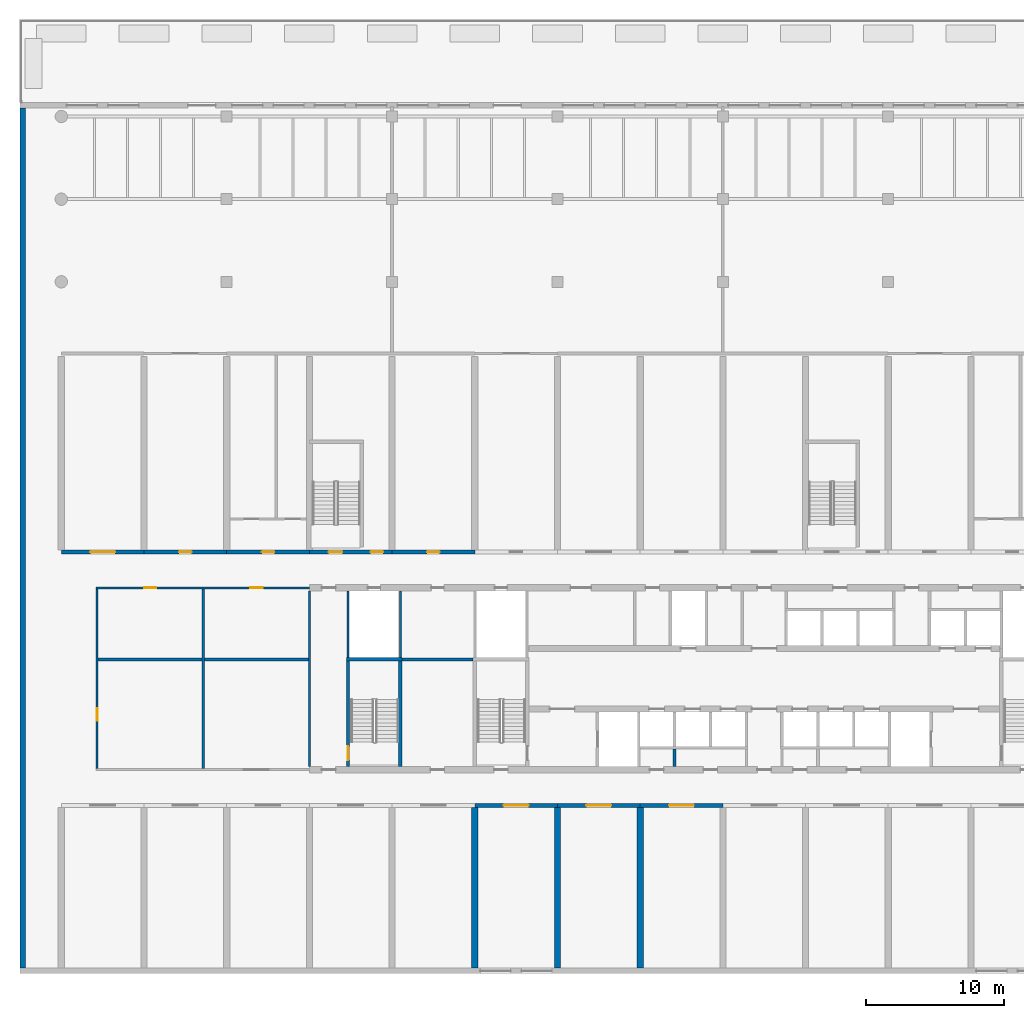
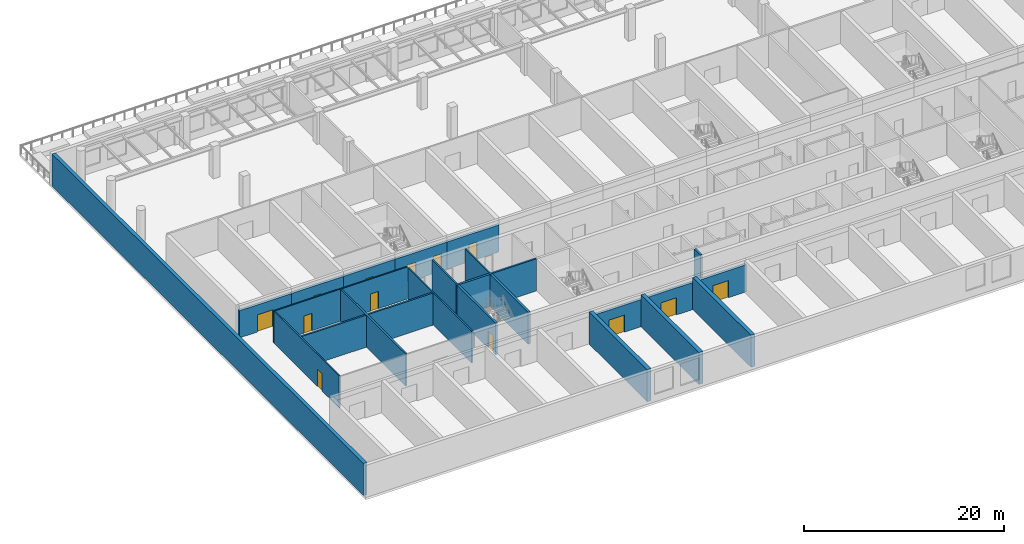
# One storey, part 3 of 15: 24 walls, 13 doors, 13 openings.
"""IFC4 building model written with IfcOpenShell, lengths in metres."""

import ifcopenshell
import ifcopenshell.guid

model = None  # the IFC model being written
_history = None  # IfcOwnerHistory: only IFC2X3 demands one
_inside = {}  # id of a spatial element -> (the spatial element, [elements in it])
_under = {}  # id of a project, library or spatial element -> (it, [spatial elements below it])
_declared = {}  # id of a project -> (the project, [libraries it declares])
_typed = {}  # id of a type object -> (the type object, [elements of that type])
_made_of = {}  # id of a material, layer set ... -> (it, [elements and type objects made of it])


def new_model(schema):
    """Start an empty IFC model of exactly this schema.

    Asked for "IFC4X3", IfcOpenShell would pick the latest addendum, in which some entities
    have other attributes; the version numbers below select the first issue.
    IFC2X3 requires an IfcOwnerHistory on every rooted entity: one is made here for all.
    """
    global model, _history
    if schema == "IFC4X3":
        model = ifcopenshell.file(schema_version=(4, 3, 0, 0))
    else:
        model = ifcopenshell.file(schema=schema)
    _inside.clear()
    _under.clear()
    _declared.clear()
    _typed.clear()
    _made_of.clear()
    _history = None
    if model.schema == "IFC2X3":
        org = make("IfcOrganization", Name="unknown")
        user = make(
            "IfcPersonAndOrganization",
            ThePerson=make("IfcPerson", FamilyName="unknown"),
            TheOrganization=org,
        )
        app = make(
            "IfcApplication",
            ApplicationDeveloper=org,
            Version="unknown",
            ApplicationFullName="unknown",
            ApplicationIdentifier="unknown",
        )
        _history = make(
            "IfcOwnerHistory",
            OwningUser=user,
            OwningApplication=app,
            ChangeAction="ADDED",
            CreationDate=0,
        )
    return model


def make(cls, **values):
    """One entity of the class cls with the attributes given. An attribute that is None is left unset."""
    return model.create_entity(
        cls, **{name: value for name, value in values.items() if value is not None}
    )


def rooted(cls, **values):
    """An entity with a GlobalId (a new one), such as an element, a storey or a relation."""
    return make(cls, GlobalId=ifcopenshell.guid.new(), OwnerHistory=_history, **values)


def si_unit(unit_type, name, prefix=None):
    """IfcSIUnit, for example si_unit("LENGTHUNIT", "METRE", prefix="MILLI")."""
    return make("IfcSIUnit", UnitType=unit_type, Prefix=prefix, Name=name)


def assignment(units):
    """IfcUnitAssignment: the units of a project."""
    return None if units is None else make("IfcUnitAssignment", Units=units)


def point(xyz):
    """IfcCartesianPoint."""
    return None if xyz is None else make("IfcCartesianPoint", Coordinates=xyz)


def direction(xyz):
    """IfcDirection."""
    return None if xyz is None else make("IfcDirection", DirectionRatios=xyz)


def frame(location, z_axis=None, x_axis=None):
    """IfcAxis2Placement3D, a coordinate frame: its origin and axes. An axis left out is left unset."""
    return make(
        "IfcAxis2Placement3D",
        Location=point(location),
        Axis=direction(z_axis),
        RefDirection=direction(x_axis),
    )


def frame_2d(location, x_axis=None):
    """IfcAxis2Placement2D, a coordinate frame in the plane: its origin and x axis."""
    return make(
        "IfcAxis2Placement2D", Location=point(location), RefDirection=direction(x_axis)
    )


def origin():
    """The frame at (0, 0, 0) with its axes left unset."""
    return frame((0.0, 0.0, 0.0))


def place(relative_to, where):
    """IfcLocalPlacement: puts the frame where relative to a parent placement (None: the world)."""
    return make(
        "IfcLocalPlacement", PlacementRelTo=relative_to, RelativePlacement=where
    )


def context(
    kind, dimensions, precision=None, world=None, true_north=None, identifier=None
):
    """IfcGeometricRepresentationContext, for example the 3D "Model" context."""
    return make(
        "IfcGeometricRepresentationContext",
        ContextIdentifier=identifier,
        ContextType=kind,
        CoordinateSpaceDimension=dimensions,
        Precision=precision,
        WorldCoordinateSystem=world,
        TrueNorth=true_north,
    )


def subcontext(parent, identifier, kind, view, scale=None):
    """IfcGeometricRepresentationSubContext, for example "Body" below "Model"."""
    return make(
        "IfcGeometricRepresentationSubContext",
        ContextIdentifier=identifier,
        ContextType=kind,
        ParentContext=parent,
        TargetScale=scale,
        TargetView=view,
    )


def project(units=None, contexts=None):
    """IfcProject with its units and contexts."""
    return rooted(
        "IfcProject",
        Name="project",
        RepresentationContexts=contexts,
        UnitsInContext=assignment(units),
    )


def spatial(cls, under=None, at=None, **own):
    """A site, building, storey or space (cls), placed at a placement, below another one or the project."""
    s = rooted(cls, ObjectPlacement=at, **own)
    if under is not None:
        _under.setdefault(under.id(), (under, []))[1].append(s)
    return s


def profile(cls, at=None, kind="AREA", **sizes):
    """A parametric profile (cls). Its sizes go by their IFC names, for example OverallWidth=200.0."""
    return make(cls, ProfileType=kind, Position=at, **sizes)


def rectangle(**sizes):
    """IfcRectangleProfileDef."""
    return profile("IfcRectangleProfileDef", **sizes)


def extrude(swept, where, along, depth):
    """IfcExtrudedAreaSolid: the profile swept, set in the frame where, extruded along a direction by depth."""
    return make(
        "IfcExtrudedAreaSolid",
        SweptArea=swept,
        Position=where,
        ExtrudedDirection=direction(along),
        Depth=depth,
    )


def shape(context_of_items, identifier, shape_type, items):
    """IfcShapeRepresentation: the items that make up one representation, for example the "Body"."""
    return make(
        "IfcShapeRepresentation",
        ContextOfItems=context_of_items,
        RepresentationIdentifier=identifier,
        RepresentationType=shape_type,
        Items=items,
    )


def material(Name=None, Category=None):
    """IfcMaterial."""
    return make("IfcMaterial", Name=Name, Category=Category)


def layer(
    of_material, thickness, ventilated=None, Name=None, Category=None, Priority=None
):
    """IfcMaterialLayer: one layer of a wall or slab, of a material (None: an air gap)."""
    return make(
        "IfcMaterialLayer",
        Material=of_material,
        LayerThickness=thickness,
        IsVentilated=ventilated,
        Name=Name,
        Category=Category,
        Priority=Priority,
    )


def layer_set(layers, Name=None):
    """IfcMaterialLayerSet."""
    return make("IfcMaterialLayerSet", MaterialLayers=layers, LayerSetName=Name)


def made_of(thing, what):
    """Note that an element or type object is made of a material, layer set ...; save() writes the relation."""
    if what is not None:
        _made_of.setdefault(what.id(), (what, []))[1].append(thing)
    return thing


def type_object(cls, material=None, **own):
    """A type object (cls), such as IfcWallType, which elements share."""
    return made_of(rooted(cls, **own), material)


def element(
    cls,
    number,
    at=None,
    inside=None,
    cuts=None,
    type_object=None,
    material=None,
    context=None,
    identifier="Body",
    shape_type=None,
    held_by="IfcProductDefinitionShape",
    body=None,
    shapes=None,
    **own,
):
    """One element of the class cls, such as IfcWall. Its Tag is "e" and its number.

    at: its placement. inside: the storey or other place that contains it. cuts: it is an
    opening in that element (IfcRelVoidsElement). A single representation is given by context,
    identifier, shape_type and body (its items); several are given by shapes. held_by: the class
    of the entity that holds the representations. save() writes the other relations.
    """
    e = rooted(cls, Tag="e%d" % number, ObjectPlacement=at, **own)
    if body is not None:
        shapes = [shape(context, identifier, shape_type, body)]
    if shapes is not None:
        e.Representation = make(held_by, Representations=shapes)
    if inside is not None:
        _inside.setdefault(inside.id(), (inside, []))[1].append(e)
    if cuts is not None:
        rooted(
            "IfcRelVoidsElement", RelatingBuildingElement=cuts, RelatedOpeningElement=e
        )
    if type_object is not None:
        _typed.setdefault(type_object.id(), (type_object, []))[1].append(e)
    return made_of(e, material)


def fill(opening, filler):
    """IfcRelFillsElement: the door or window that sits in an opening."""
    return rooted(
        "IfcRelFillsElement",
        RelatingOpeningElement=opening,
        RelatedBuildingElement=filler,
    )


def aggregate(whole, parts):
    """IfcRelAggregates: a whole, such as a stair, and the parts it consists of."""
    return rooted("IfcRelAggregates", RelatingObject=whole, RelatedObjects=parts)


def save(model, path):
    """Write the relations noted so far, then the file.

    IfcRelAggregates (storeys below a building ...), IfcRelContainedInSpatialStructure (elements
    in a storey), IfcRelDefinesByType, IfcRelAssociatesMaterial and IfcRelDeclares: one each for
    every whole, place, type object, material and project.
    """
    for whole, parts in _under.values():
        aggregate(whole, parts)
    for where, things in _inside.values():
        rooted(
            "IfcRelContainedInSpatialStructure",
            RelatedElements=things,
            RelatingStructure=where,
        )
    for kind, things in _typed.values():
        rooted("IfcRelDefinesByType", RelatedObjects=things, RelatingType=kind)
    for what, things in _made_of.values():
        rooted("IfcRelAssociatesMaterial", RelatedObjects=things, RelatingMaterial=what)
    for by, libraries in _declared.values():
        rooted("IfcRelDeclares", RelatingContext=by, RelatedDefinitions=libraries)
    model.write(path)


model = new_model("IFC4")

# Units and contexts
model_context = context("Model", 3, precision=1e-05, world=origin(), true_north=direction((0.0, 1.0)))
body_context = subcontext(model_context, "Body", "Model", "MODEL_VIEW")
ifc_project = project(units=[si_unit("LENGTHUNIT", "METRE"), si_unit("AREAUNIT", "SQUARE_METRE"), si_unit("VOLUMEUNIT", "CUBIC_METRE"), si_unit("PLANEANGLEUNIT", "RADIAN"), si_unit("MASSUNIT", "GRAM", prefix="KILO")], contexts=[model_context])

# Site, building, storey
site_placement = place(None, origin())
site = spatial("IfcSite", under=ifc_project, at=site_placement, CompositionType="ELEMENT")
building_placement = place(site_placement, origin())
building = spatial("IfcBuilding", under=site, at=building_placement, Name="Poui Terraces", CompositionType="ELEMENT")
storey_placement = place(building_placement, frame((0.0, 0.0, 10.800048828125)))
storey = spatial("IfcBuildingStorey", under=building, at=storey_placement, Name="L02", CompositionType="ELEMENT", Elevation=10.800048828125)

# Walls
ifc_material_1 = material(Name="Fire-rated masonry wall", Category="masonry")
ifc_layer_1 = layer(ifc_material_1, 0.199951171875)
ifc_layer_set_1 = layer_set([ifc_layer_1], Name="Fire-rated masonry wall")
wall_type_1 = type_object("IfcWallType", Name="COMPARTMENT WALL 200", PredefinedType="PARTITIONING", material=ifc_layer_set_1)
wall_1_placement = place(storey_placement, frame((2.675048828125, 22.60009765625, 0.0), z_axis=(0.0, 0.0, 1.0), x_axis=(1.0, 0.0, 0.0)))
element("IfcWall", 1, at=wall_1_placement, inside=storey, type_object=wall_type_1, Name="COMPARTMENT WALL 200", PredefinedType="PARTITIONING", context=body_context, shape_type="SweptSolid", body=[
    extrude(rectangle(XDim=15.25, YDim=0.199951171875, at=frame_2d((7.625, 0.0))), origin(), (0.0, 0.0, 1.0), 3.919921875),
])
wall_2_placement = place(storey_placement, frame((24.735107421875, 22.60009765625, 0.0), z_axis=(0.0, 0.0, 1.0), x_axis=(1.0, 0.0, 0.0)))
element("IfcWall", 2, at=wall_2_placement, inside=storey, type_object=wall_type_1, Name="COMPARTMENT WALL 200", PredefinedType="PARTITIONING", context=body_context, shape_type="SweptSolid", body=[
    extrude(rectangle(XDim=5.1298828125, YDim=0.199951171875, at=frame_2d((2.56494140625, 0.0))), origin(), (0.0, 0.0, 1.0), 3.919921875),
])
wall_3_placement = place(storey_placement, frame((10.300048828125, 14.675048828125, 0.0), z_axis=(0.0, 0.0, 1.0), x_axis=(0.0, 1.0, 0.0)))
element("IfcWall", 3, at=wall_3_placement, inside=storey, type_object=wall_type_1, Name="COMPARTMENT WALL 200", PredefinedType="PARTITIONING", context=body_context, shape_type="SweptSolid", body=[
    extrude(rectangle(XDim=13.050048828125, YDim=0.199951171875, at=frame_2d((6.52490234375, 0.0))), origin(), (0.0, 0.0, 1.0), 3.919921875),
])
wall_4_placement = place(storey_placement, frame((44.5, 14.8349609375, 0.0), z_axis=(0.0, 0.0, 1.0), x_axis=(0.0, 1.0, 0.0)))
element("IfcWall", 4, at=wall_4_placement, inside=storey, type_object=wall_type_1, Name="COMPARTMENT WALL 200", PredefinedType="PARTITIONING", context=body_context, shape_type="SweptSolid", body=[
    extrude(rectangle(XDim=1.26513671875, YDim=0.199951171875, at=frame_2d((0.632568359375, 0.0))), origin(), (0.0, 0.0, 1.0), 3.919921875),
])

# Wall, openings, doors
ifc_material_2 = material(Name="Fire-rated plasterboard wall")
ifc_layer_2 = layer(ifc_material_2, 0.14990234375)
ifc_layer_set_2 = layer_set([ifc_layer_2], Name="Fire-rated plasterboard wall")
wall_type_2 = type_object("IfcWallType", Name="CORRIDOR WALL 150", PredefinedType="PARTITIONING", material=ifc_layer_set_2)
wall_5_placement = place(storey_placement, frame((2.52490234375, 27.800048828125, 0.0), z_axis=(0.0, 0.0, 1.0), x_axis=(1.0, 0.0, 0.0)))
wall_5 = element("IfcWall", 5, at=wall_5_placement, inside=storey, type_object=wall_type_2, Name="CORRIDOR WALL 150", PredefinedType="PARTITIONING", context=body_context, shape_type="SweptSolid", body=[
    extrude(rectangle(XDim=15.465087890625, YDim=0.14990234375, at=frame_2d((7.732421875, 0.0))), origin(), (0.0, 0.0, 1.0), 3.919921875),
])
opening_1_placement = place(wall_5_placement, frame((3.47509765625, 0.0, 0.0)))
opening_1 = element("IfcOpeningElement", 6, at=opening_1_placement, cuts=wall_5, Name="Opening D90", PredefinedType="OPENING", context=body_context, shape_type="SweptSolid", body=[
    extrude(rectangle(XDim=0.89990234375, YDim=2.10009765625, at=frame_2d((0.449951171875, 1.050048828125))), frame((0.0, 0.0849609375, 0.0), z_axis=(0.0, -1.0, 0.0), x_axis=(1.0, 0.0, 0.0)), (0.0, 0.0, 1.0), 0.169921875),
])
opening_2_placement = place(wall_5_placement, frame((11.175048828125, 0.0, 0.0)))
opening_2 = element("IfcOpeningElement", 7, at=opening_2_placement, cuts=wall_5, Name="Opening D90", PredefinedType="OPENING", context=body_context, shape_type="SweptSolid", body=[
    extrude(rectangle(XDim=0.89990234375, YDim=2.10009765625, at=frame_2d((0.449951171875, 1.050048828125))), frame((0.0, 0.0849609375, 0.0), z_axis=(0.0, -1.0, 0.0), x_axis=(1.0, 0.0, 0.0)), (0.0, 0.0, 1.0), 0.169921875),
])
ifc_material_3 = material(Name="Solid core timber door", Category="wood")
door_type_1 = type_object("IfcDoorType", Name="INTERNAL DOOR 900 X 2100", OperationType="NOTDEFINED", PredefinedType="DOOR", material=ifc_material_3)
door_1_placement = place(opening_1_placement, origin())
door_1 = element("IfcDoor", 8, at=door_1_placement, inside=storey, type_object=door_type_1, Name="INTERNAL DOOR 003", OperationType="SINGLE_SWING_LEFT", OverallHeight=2.10009765625, OverallWidth=0.89990234375, PredefinedType="DOOR", context=body_context, shape_type="SweptSolid", body=[
    extrude(rectangle(XDim=0.89990234375, YDim=2.10009765625, at=frame_2d((0.449951171875, 1.050048828125))), frame((0.0, 0.02490234375, 0.0), z_axis=(0.0, -1.0, 0.0), x_axis=(1.0, 0.0, 0.0)), (0.0, 0.0, 1.0), 0.050048828125),
])
fill(opening_1, door_1)
door_2_placement = place(opening_2_placement, origin())
door_2 = element("IfcDoor", 9, at=door_2_placement, inside=storey, type_object=door_type_1, Name="INTERNAL DOOR 005", OperationType="SINGLE_SWING_RIGHT", OverallHeight=2.10009765625, OverallWidth=0.89990234375, PredefinedType="DOOR", context=body_context, shape_type="SweptSolid", body=[
    extrude(rectangle(XDim=0.89990234375, YDim=2.10009765625, at=frame_2d((0.449951171875, 1.050048828125))), frame((0.0, 0.02490234375, 0.0), z_axis=(0.0, -1.0, 0.0), x_axis=(1.0, 0.0, 0.0)), (0.0, 0.0, 1.0), 0.050048828125),
])
fill(opening_2, door_2)

# Wall, opening, door
wall_6_placement = place(storey_placement, frame((2.60009765625, 14.675048828125, 0.0), z_axis=(0.0, 0.0, 1.0), x_axis=(0.0, 1.0, 0.0)))
wall_6 = element("IfcWall", 10, at=wall_6_placement, inside=storey, type_object=wall_type_2, Name="CORRIDOR WALL 150", PredefinedType="PARTITIONING", context=body_context, shape_type="SweptSolid", body=[
    extrude(rectangle(XDim=13.050048828125, YDim=0.14990234375, at=frame_2d((6.52490234375, 0.0))), origin(), (0.0, 0.0, 1.0), 3.919921875),
])
opening_3_placement = place(wall_6_placement, frame((3.47509765625, 0.0, 0.0)))
opening_3 = element("IfcOpeningElement", 11, at=opening_3_placement, cuts=wall_6, Name="Opening D90", PredefinedType="OPENING", context=body_context, shape_type="SweptSolid", body=[
    extrude(rectangle(XDim=0.89990234375, YDim=2.10009765625, at=frame_2d((0.449951171875, 1.050048828125))), frame((0.0, 0.0849609375, 0.0), z_axis=(0.0, -1.0, 0.0), x_axis=(1.0, 0.0, 0.0)), (0.0, 0.0, 1.0), 0.169921875),
])
door_3_placement = place(opening_3_placement, origin())
door_3 = element("IfcDoor", 12, at=door_3_placement, inside=storey, type_object=door_type_1, Name="INTERNAL DOOR 071", OperationType="SINGLE_SWING_LEFT", OverallHeight=2.10009765625, OverallWidth=0.89990234375, PredefinedType="DOOR", context=body_context, shape_type="SweptSolid", body=[
    extrude(rectangle(XDim=0.89990234375, YDim=2.10009765625, at=frame_2d((0.449951171875, 1.050048828125))), frame((0.0, 0.02490234375, 0.0), z_axis=(0.0, -1.0, 0.0), x_axis=(1.0, 0.0, 0.0)), (0.0, 0.0, 1.0), 0.050048828125),
])
fill(opening_3, door_3)

# Wall
wall_7_placement = place(storey_placement, frame((18.0, 14.8349609375, 0.0), z_axis=(0.0, 0.0, 1.0), x_axis=(0.0, 1.0, 0.0)))
element("IfcWall", 13, at=wall_7_placement, inside=storey, type_object=wall_type_2, Name="CORRIDOR WALL 150", PredefinedType="PARTITIONING", context=body_context, shape_type="SweptSolid", body=[
    extrude(rectangle(XDim=12.72998046875, YDim=0.14990234375, at=frame_2d((6.364990234375, 0.0))), origin(), (0.0, 0.0, 1.0), 3.919921875),
])

# Wall, opening, door
ifc_material_4 = material(Name="Concrete 80 MPa", Category="concrete")
ifc_layer_3 = layer(ifc_material_4, 0.300048828125)
ifc_layer_set_3 = layer_set([ifc_layer_3], Name="Concrete 80 MPa")
wall_type_3 = type_object("IfcWallType", Name="CORRIDOR WALL 300 80MPa", PredefinedType="SHEAR", material=ifc_layer_set_3)
wall_8_placement = place(storey_placement, frame((30.0, 12.0, 0.0), z_axis=(0.0, 0.0, 1.0), x_axis=(1.0, 0.0, 0.0)))
wall_8 = element("IfcWall", 14, at=wall_8_placement, inside=storey, type_object=wall_type_3, Name="CORRIDOR WALL LINE B BAY 6", PredefinedType="SHEAR", context=body_context, shape_type="SweptSolid", body=[
    extrude(rectangle(XDim=6.0, YDim=0.300048828125, at=frame_2d((3.0, 0.0))), origin(), (0.0, 0.0, 1.0), 3.320068359375),
])
opening_4_placement = place(wall_8_placement, frame((2.10009765625, 0.0, 0.0)))
opening_4 = element("IfcOpeningElement", 15, at=opening_4_placement, cuts=wall_8, Name="Opening DD180", PredefinedType="OPENING", context=body_context, shape_type="SweptSolid", body=[
    extrude(rectangle(XDim=1.800048828125, YDim=2.10009765625, at=frame_2d((0.89990234375, 1.050048828125))), frame((0.0, 0.16015625, 0.0), z_axis=(0.0, -1.0, 0.0), x_axis=(1.0, 0.0, 0.0)), (0.0, 0.0, 1.0), 0.320068359375),
])
ifc_material_5 = material(Name="Steel fire door", Category="steel")
door_type_2 = type_object("IfcDoorType", Name="DOUBLE INTERNAL DOOR 1800 X 2100", OperationType="DOUBLE_DOOR_SINGLE_SWING", PredefinedType="DOOR", material=ifc_material_5)
door_4_placement = place(opening_4_placement, origin())
door_4 = element("IfcDoor", 16, at=door_4_placement, inside=storey, type_object=door_type_2, Name="DOUBLE INTERNAL DOOR 050", OperationType="DOUBLE_DOOR_SINGLE_SWING", OverallHeight=2.10009765625, OverallWidth=1.800048828125, PredefinedType="DOOR", context=body_context, shape_type="SweptSolid", body=[
    extrude(rectangle(XDim=1.800048828125, YDim=2.10009765625, at=frame_2d((0.89990234375, 1.050048828125))), frame((0.0, 0.02490234375, 0.0), z_axis=(0.0, -1.0, 0.0), x_axis=(1.0, 0.0, 0.0)), (0.0, 0.0, 1.0), 0.050048828125),
])
fill(opening_4, door_4)

wall_9_placement = place(storey_placement, frame((36.0, 12.0, 0.0), z_axis=(0.0, 0.0, 1.0), x_axis=(1.0, 0.0, 0.0)))
wall_9 = element("IfcWall", 17, at=wall_9_placement, inside=storey, type_object=wall_type_3, Name="CORRIDOR WALL LINE B BAY 7", PredefinedType="SHEAR", context=body_context, shape_type="SweptSolid", body=[
    extrude(rectangle(XDim=6.0, YDim=0.300048828125, at=frame_2d((3.0, 0.0))), origin(), (0.0, 0.0, 1.0), 3.320068359375),
])
opening_5_placement = place(wall_9_placement, frame((2.10009765625, 0.0, 0.0)))
opening_5 = element("IfcOpeningElement", 18, at=opening_5_placement, cuts=wall_9, Name="Opening DD180", PredefinedType="OPENING", context=body_context, shape_type="SweptSolid", body=[
    extrude(rectangle(XDim=1.800048828125, YDim=2.10009765625, at=frame_2d((0.89990234375, 1.050048828125))), frame((0.0, 0.16015625, 0.0), z_axis=(0.0, -1.0, 0.0), x_axis=(1.0, 0.0, 0.0)), (0.0, 0.0, 1.0), 0.320068359375),
])
door_5_placement = place(opening_5_placement, origin())
door_5 = element("IfcDoor", 19, at=door_5_placement, inside=storey, type_object=door_type_2, Name="DOUBLE INTERNAL DOOR 051", OperationType="DOUBLE_DOOR_SINGLE_SWING", OverallHeight=2.10009765625, OverallWidth=1.800048828125, PredefinedType="DOOR", context=body_context, shape_type="SweptSolid", body=[
    extrude(rectangle(XDim=1.800048828125, YDim=2.10009765625, at=frame_2d((0.89990234375, 1.050048828125))), frame((0.0, 0.02490234375, 0.0), z_axis=(0.0, -1.0, 0.0), x_axis=(1.0, 0.0, 0.0)), (0.0, 0.0, 1.0), 0.050048828125),
])
fill(opening_5, door_5)

wall_10_placement = place(storey_placement, frame((42.0, 12.0, 0.0), z_axis=(0.0, 0.0, 1.0), x_axis=(1.0, 0.0, 0.0)))
wall_10 = element("IfcWall", 20, at=wall_10_placement, inside=storey, type_object=wall_type_3, Name="CORRIDOR WALL LINE B BAY 8", PredefinedType="SHEAR", context=body_context, shape_type="SweptSolid", body=[
    extrude(rectangle(XDim=6.0, YDim=0.300048828125, at=frame_2d((3.0, 0.0))), origin(), (0.0, 0.0, 1.0), 3.320068359375),
])
opening_6_placement = place(wall_10_placement, frame((2.10009765625, 0.0, 0.0)))
opening_6 = element("IfcOpeningElement", 21, at=opening_6_placement, cuts=wall_10, Name="Opening DD180", PredefinedType="OPENING", context=body_context, shape_type="SweptSolid", body=[
    extrude(rectangle(XDim=1.800048828125, YDim=2.10009765625, at=frame_2d((0.89990234375, 1.050048828125))), frame((0.0, 0.16015625, 0.0), z_axis=(0.0, -1.0, 0.0), x_axis=(1.0, 0.0, 0.0)), (0.0, 0.0, 1.0), 0.320068359375),
])
door_6_placement = place(opening_6_placement, origin())
door_6 = element("IfcDoor", 22, at=door_6_placement, inside=storey, type_object=door_type_2, Name="DOUBLE INTERNAL DOOR 053", OperationType="DOUBLE_DOOR_SINGLE_SWING", OverallHeight=2.10009765625, OverallWidth=1.800048828125, PredefinedType="DOOR", context=body_context, shape_type="SweptSolid", body=[
    extrude(rectangle(XDim=1.800048828125, YDim=2.10009765625, at=frame_2d((0.89990234375, 1.050048828125))), frame((0.0, 0.02490234375, 0.0), z_axis=(0.0, -1.0, 0.0), x_axis=(1.0, 0.0, 0.0)), (0.0, 0.0, 1.0), 0.050048828125),
])
fill(opening_6, door_6)

wall_11_placement = place(storey_placement, frame((0.0, 30.39990234375, 0.0), z_axis=(0.0, 0.0, 1.0), x_axis=(1.0, 0.0, 0.0)))
wall_11 = element("IfcWall", 23, at=wall_11_placement, inside=storey, type_object=wall_type_3, Name="CORRIDOR WALL LINE E BAY 1", PredefinedType="SHEAR", context=body_context, shape_type="SweptSolid", body=[
    extrude(rectangle(XDim=6.0, YDim=0.300048828125, at=frame_2d((3.0, 0.0))), origin(), (0.0, 0.0, 1.0), 3.320068359375),
])
opening_7_placement = place(wall_11_placement, frame((2.10009765625, 0.0, 0.0)))
opening_7 = element("IfcOpeningElement", 24, at=opening_7_placement, cuts=wall_11, Name="Opening DD180", PredefinedType="OPENING", context=body_context, shape_type="SweptSolid", body=[
    extrude(rectangle(XDim=1.800048828125, YDim=2.10009765625, at=frame_2d((0.89990234375, 1.050048828125))), frame((0.0, 0.16015625, 0.0), z_axis=(0.0, -1.0, 0.0), x_axis=(1.0, 0.0, 0.0)), (0.0, 0.0, 1.0), 0.320068359375),
])
door_7_placement = place(opening_7_placement, frame((1.800048828125, 0.0, 0.0), z_axis=(0.0, 0.0, 1.0), x_axis=(-1.0, 0.0, 0.0)))
door_7 = element("IfcDoor", 25, at=door_7_placement, inside=storey, type_object=door_type_2, Name="DOUBLE INTERNAL DOOR 002", OperationType="DOUBLE_DOOR_SINGLE_SWING", OverallHeight=2.10009765625, OverallWidth=1.800048828125, PredefinedType="DOOR", context=body_context, shape_type="SweptSolid", body=[
    extrude(rectangle(XDim=1.800048828125, YDim=2.10009765625, at=frame_2d((0.89990234375, 1.050048828125))), frame((0.0, 0.02490234375, 0.0), z_axis=(0.0, -1.0, 0.0), x_axis=(1.0, 0.0, 0.0)), (0.0, 0.0, 1.0), 0.050048828125),
])
fill(opening_7, door_7)

wall_12_placement = place(storey_placement, frame((6.0, 30.39990234375, 0.0), z_axis=(0.0, 0.0, 1.0), x_axis=(1.0, 0.0, 0.0)))
wall_12 = element("IfcWall", 26, at=wall_12_placement, inside=storey, type_object=wall_type_3, Name="CORRIDOR WALL LINE E BAY 2", PredefinedType="SHEAR", context=body_context, shape_type="SweptSolid", body=[
    extrude(rectangle(XDim=6.0, YDim=0.300048828125, at=frame_2d((3.0, 0.0))), origin(), (0.0, 0.0, 1.0), 3.320068359375),
])
opening_8_placement = place(wall_12_placement, frame((2.550048828125, 0.0, 0.0)))
opening_8 = element("IfcOpeningElement", 27, at=opening_8_placement, cuts=wall_12, Name="Opening D90", PredefinedType="OPENING", context=body_context, shape_type="SweptSolid", body=[
    extrude(rectangle(XDim=0.89990234375, YDim=2.10009765625, at=frame_2d((0.449951171875, 1.050048828125))), frame((0.0, 0.16015625, 0.0), z_axis=(0.0, -1.0, 0.0), x_axis=(1.0, 0.0, 0.0)), (0.0, 0.0, 1.0), 0.320068359375),
])
door_8_placement = place(opening_8_placement, frame((0.89990234375, 0.0, 0.0), z_axis=(0.0, 0.0, 1.0), x_axis=(-1.0, 0.0, 0.0)))
door_8 = element("IfcDoor", 28, at=door_8_placement, inside=storey, type_object=door_type_1, Name="INTERNAL DOOR 004", OperationType="SINGLE_SWING_LEFT", OverallHeight=2.10009765625, OverallWidth=0.89990234375, PredefinedType="DOOR", context=body_context, shape_type="SweptSolid", body=[
    extrude(rectangle(XDim=0.89990234375, YDim=2.10009765625, at=frame_2d((0.449951171875, 1.050048828125))), frame((0.0, 0.02490234375, 0.0), z_axis=(0.0, -1.0, 0.0), x_axis=(1.0, 0.0, 0.0)), (0.0, 0.0, 1.0), 0.050048828125),
])
fill(opening_8, door_8)

wall_13_placement = place(storey_placement, frame((12.0, 30.39990234375, 0.0), z_axis=(0.0, 0.0, 1.0), x_axis=(1.0, 0.0, 0.0)))
wall_13 = element("IfcWall", 29, at=wall_13_placement, inside=storey, type_object=wall_type_3, Name="CORRIDOR WALL LINE E BAY 3", PredefinedType="SHEAR", context=body_context, shape_type="SweptSolid", body=[
    extrude(rectangle(XDim=6.0, YDim=0.300048828125, at=frame_2d((3.0, 0.0))), origin(), (0.0, 0.0, 1.0), 3.320068359375),
])
opening_9_placement = place(wall_13_placement, frame((2.550048828125, 0.0, 0.0)))
opening_9 = element("IfcOpeningElement", 30, at=opening_9_placement, cuts=wall_13, Name="Opening D90", PredefinedType="OPENING", context=body_context, shape_type="SweptSolid", body=[
    extrude(rectangle(XDim=0.89990234375, YDim=2.10009765625, at=frame_2d((0.449951171875, 1.050048828125))), frame((0.0, 0.16015625, 0.0), z_axis=(0.0, -1.0, 0.0), x_axis=(1.0, 0.0, 0.0)), (0.0, 0.0, 1.0), 0.320068359375),
])
door_9_placement = place(opening_9_placement, frame((0.89990234375, 0.0, 0.0), z_axis=(0.0, 0.0, 1.0), x_axis=(-1.0, 0.0, 0.0)))
door_9 = element("IfcDoor", 31, at=door_9_placement, inside=storey, type_object=door_type_1, Name="INTERNAL DOOR 006", OperationType="SINGLE_SWING_RIGHT", OverallHeight=2.10009765625, OverallWidth=0.89990234375, PredefinedType="DOOR", context=body_context, shape_type="SweptSolid", body=[
    extrude(rectangle(XDim=0.89990234375, YDim=2.10009765625, at=frame_2d((0.449951171875, 1.050048828125))), frame((0.0, 0.02490234375, 0.0), z_axis=(0.0, -1.0, 0.0), x_axis=(1.0, 0.0, 0.0)), (0.0, 0.0, 1.0), 0.050048828125),
])
fill(opening_9, door_9)

# Wall, openings, doors
wall_14_placement = place(storey_placement, frame((18.0, 30.39990234375, 0.0), z_axis=(0.0, 0.0, 1.0), x_axis=(1.0, 0.0, 0.0)))
wall_14 = element("IfcWall", 32, at=wall_14_placement, inside=storey, type_object=wall_type_3, Name="CORRIDOR WALL LINE E BAY 4", PredefinedType="SHEAR", context=body_context, shape_type="SweptSolid", body=[
    extrude(rectangle(XDim=6.0, YDim=0.300048828125, at=frame_2d((3.0, 0.0))), origin(), (0.0, 0.0, 1.0), 3.320068359375),
])
opening_10_placement = place(wall_14_placement, frame((1.39990234375, 0.0, 0.0)))
opening_10 = element("IfcOpeningElement", 33, at=opening_10_placement, cuts=wall_14, Name="Opening FD60S", PredefinedType="OPENING", context=body_context, shape_type="SweptSolid", body=[
    extrude(rectangle(XDim=1.0, YDim=2.10009765625, at=frame_2d((0.5, 1.050048828125))), frame((0.0, 0.16015625, 0.0), z_axis=(0.0, -1.0, 0.0), x_axis=(1.0, 0.0, 0.0)), (0.0, 0.0, 1.0), 0.320068359375),
])
opening_11_placement = place(wall_14_placement, frame((4.449951171875, 0.0, 0.0)))
opening_11 = element("IfcOpeningElement", 34, at=opening_11_placement, cuts=wall_14, Name="Opening D90", PredefinedType="OPENING", context=body_context, shape_type="SweptSolid", body=[
    extrude(rectangle(XDim=0.89990234375, YDim=2.10009765625, at=frame_2d((0.449951171875, 1.050048828125))), frame((0.0, 0.16015625, 0.0), z_axis=(0.0, -1.0, 0.0), x_axis=(1.0, 0.0, 0.0)), (0.0, 0.0, 1.0), 0.320068359375),
])
door_10_placement = place(opening_11_placement, frame((0.89990234375, 0.0, 0.0), z_axis=(0.0, 0.0, 1.0), x_axis=(-1.0, 0.0, 0.0)))
door_10 = element("IfcDoor", 35, at=door_10_placement, inside=storey, type_object=door_type_1, Name="INTERNAL DOOR 010", OperationType="SINGLE_SWING_RIGHT", OverallHeight=2.10009765625, OverallWidth=0.89990234375, PredefinedType="DOOR", context=body_context, shape_type="SweptSolid", body=[
    extrude(rectangle(XDim=0.89990234375, YDim=2.10009765625, at=frame_2d((0.449951171875, 1.050048828125))), frame((0.0, 0.02490234375, 0.0), z_axis=(0.0, -1.0, 0.0), x_axis=(1.0, 0.0, 0.0)), (0.0, 0.0, 1.0), 0.050048828125),
])
fill(opening_11, door_10)
door_type_3 = type_object("IfcDoorType", Name="STAIR DOOR 1000 X 2100", OperationType="NOTDEFINED", PredefinedType="DOOR", material=ifc_material_5)
door_11_placement = place(opening_10_placement, origin())
door_11 = element("IfcDoor", 36, at=door_11_placement, inside=storey, type_object=door_type_3, Name="STAIR DOOR 008", OperationType="SINGLE_SWING_RIGHT", OverallHeight=2.10009765625, OverallWidth=1.0, PredefinedType="DOOR", context=body_context, shape_type="SweptSolid", body=[
    extrude(rectangle(XDim=1.0, YDim=2.10009765625, at=frame_2d((0.5, 1.050048828125))), frame((0.0, 0.02490234375, 0.0), z_axis=(0.0, -1.0, 0.0), x_axis=(1.0, 0.0, 0.0)), (0.0, 0.0, 1.0), 0.050048828125),
])
fill(opening_10, door_11)

# Wall, opening, door
wall_15_placement = place(storey_placement, frame((24.0, 30.39990234375, 0.0), z_axis=(0.0, 0.0, 1.0), x_axis=(1.0, 0.0, 0.0)))
wall_15 = element("IfcWall", 37, at=wall_15_placement, inside=storey, type_object=wall_type_3, Name="CORRIDOR WALL LINE E BAY 5", PredefinedType="SHEAR", context=body_context, shape_type="SweptSolid", body=[
    extrude(rectangle(XDim=6.0, YDim=0.300048828125, at=frame_2d((3.0, 0.0))), origin(), (0.0, 0.0, 1.0), 3.320068359375),
])
opening_12_placement = place(wall_15_placement, frame((2.550048828125, 0.0, 0.0)))
opening_12 = element("IfcOpeningElement", 38, at=opening_12_placement, cuts=wall_15, Name="Opening D90", PredefinedType="OPENING", context=body_context, shape_type="SweptSolid", body=[
    extrude(rectangle(XDim=0.89990234375, YDim=2.10009765625, at=frame_2d((0.449951171875, 1.050048828125))), frame((0.0, 0.16015625, 0.0), z_axis=(0.0, -1.0, 0.0), x_axis=(1.0, 0.0, 0.0)), (0.0, 0.0, 1.0), 0.320068359375),
])
door_12_placement = place(opening_12_placement, frame((0.89990234375, 0.0, 0.0), z_axis=(0.0, 0.0, 1.0), x_axis=(-1.0, 0.0, 0.0)))
door_12 = element("IfcDoor", 39, at=door_12_placement, inside=storey, type_object=door_type_1, Name="INTERNAL DOOR 011", OperationType="SINGLE_SWING_LEFT", OverallHeight=2.10009765625, OverallWidth=0.89990234375, PredefinedType="DOOR", context=body_context, shape_type="SweptSolid", body=[
    extrude(rectangle(XDim=0.89990234375, YDim=2.10009765625, at=frame_2d((0.449951171875, 1.050048828125))), frame((0.0, 0.02490234375, 0.0), z_axis=(0.0, -1.0, 0.0), x_axis=(1.0, 0.0, 0.0)), (0.0, 0.0, 1.0), 0.050048828125),
])
fill(opening_12, door_12)

# Walls
ifc_layer_4 = layer(ifc_material_4, 0.449951171875)
ifc_layer_set_4 = layer_set([ifc_layer_4], Name="Concrete 80 MPa")
wall_type_4 = type_object("IfcWallType", Name="CROSS WALL 450 80MPa", PredefinedType="SHEAR", material=ifc_layer_set_4)
for number, where, z_axis, x_axis, name in (
    (40, (30.0, 0.199951171875, 0.0), (0.0, 0.0, 1.0), (0.0, 1.0, 0.0), "CROSS WALL LINE 6 SOUTH"),
    (41, (36.0, 0.199951171875, 0.0), (0.0, 0.0, 1.0), (0.0, 1.0, 0.0), "CROSS WALL LINE 7 SOUTH"),
    (42, (42.0, 0.199951171875, 0.0), (0.0, 0.0, 1.0), (0.0, 1.0, 0.0), "CROSS WALL LINE 8 SOUTH"),
):
    element("IfcWall", number, at=place(storey_placement, frame(where, z_axis=z_axis, x_axis=x_axis)), inside=storey, type_object=wall_type_4, Name=name, PredefinedType="SHEAR", context=body_context, shape_type="SweptSolid", body=[
        extrude(rectangle(XDim=11.650146484375, YDim=0.449951171875, at=frame_2d((5.8251953125, 0.0))), origin(), (0.0, 0.0, 1.0), 3.919921875),
    ])
ifc_material_6 = material(Name="Precast concrete 40 MPa", Category="concrete")
ifc_layer_5 = layer(ifc_material_6, 0.39990234375)
ifc_layer_set_5 = layer_set([ifc_layer_5], Name="Precast concrete 40 MPa")
wall_type_5 = type_object("IfcWallType", Name="EXTERNAL WALL 400", PredefinedType="STANDARD", material=ifc_layer_set_5)
wall_16_placement = place(storey_placement, frame((-2.800048828125, 62.60009765625, 0.0), z_axis=(0.0, 0.0, 1.0), x_axis=(0.0, -1.0, 0.0)))
element("IfcWall", 43, at=wall_16_placement, inside=storey, type_object=wall_type_5, Name="EXTERNAL WALL W", PredefinedType="STANDARD", context=body_context, shape_type="SweptSolid", body=[
    extrude(rectangle(XDim=62.400146484375, YDim=0.39990234375, at=frame_2d((31.2001953125, 0.0))), origin(), (0.0, 0.0, 1.0), 3.919921875),
])
ifc_material_7 = material(Name="Fire-rated plasterboard riser wall")
ifc_layer_6 = layer(ifc_material_7, 0.14990234375)
ifc_layer_set_6 = layer_set([ifc_layer_6], Name="Fire-rated plasterboard riser wall")
wall_type_6 = type_object("IfcWallType", Name="RISER WALL 150", PredefinedType="PARTITIONING", material=ifc_layer_set_6)
for number, where, z_axis, x_axis, name in (
    (44, (20.800048828125, 22.735107421875, 0.0), (0.0, 0.0, 1.0), (0.0, 1.0, 0.0), "RISER WALL 150"),
    (45, (24.60009765625, 22.735107421875, 0.0), (0.0, 0.0, 1.0), (0.0, 1.0, 0.0), "RISER WALL 150"),
):
    element("IfcWall", number, at=place(storey_placement, frame(where, z_axis=z_axis, x_axis=x_axis)), inside=storey, type_object=wall_type_6, Name=name, PredefinedType="PARTITIONING", context=body_context, shape_type="SweptSolid", body=[
        extrude(rectangle(XDim=4.829833984375, YDim=0.14990234375, at=frame_2d((2.4150390625, 0.0))), origin(), (0.0, 0.0, 1.0), 3.919921875),
    ])

# Wall, opening, door
ifc_layer_7 = layer(ifc_material_4, 0.25)
ifc_layer_set_7 = layer_set([ifc_layer_7], Name="Concrete 80 MPa")
wall_type_7 = type_object("IfcWallType", Name="STAIR CORE WALL 250 80 MPA", PredefinedType="SOLIDWALL", material=ifc_layer_set_7)
wall_17_placement = place(storey_placement, frame((20.800048828125, 14.824951171875, 0.0), z_axis=(0.0, 0.0, 1.0), x_axis=(0.0, 1.0, 0.0)))
wall_17 = element("IfcWall", 46, at=wall_17_placement, inside=storey, type_object=wall_type_7, Name="STAIR CORE WALL", PredefinedType="SOLIDWALL", context=body_context, shape_type="SweptSolid", body=[
    extrude(rectangle(XDim=7.650146484375, YDim=0.25, at=frame_2d((3.8251953125, 0.0))), origin(), (0.0, 0.0, 1.0), 3.919921875),
])
opening_13_placement = place(wall_17_placement, frame((0.47509765625, 0.0, 0.0)))
opening_13 = element("IfcOpeningElement", 47, at=opening_13_placement, cuts=wall_17, Name="Opening FD60S", PredefinedType="OPENING", context=body_context, shape_type="SweptSolid", body=[
    extrude(rectangle(XDim=1.0, YDim=2.10009765625, at=frame_2d((0.5, 1.050048828125))), frame((0.0, 0.135009765625, 0.0), z_axis=(0.0, -1.0, 0.0), x_axis=(1.0, 0.0, 0.0)), (0.0, 0.0, 1.0), 0.27001953125),
])
door_13_placement = place(opening_13_placement, frame((1.0, 0.0, 0.0), z_axis=(0.0, 0.0, 1.0), x_axis=(-1.0, 0.0, 0.0)))
door_13 = element("IfcDoor", 48, at=door_13_placement, inside=storey, type_object=door_type_3, Name="STAIR DOOR 101", OperationType="SINGLE_SWING_RIGHT", OverallHeight=2.10009765625, OverallWidth=1.0, PredefinedType="DOOR", context=body_context, shape_type="SweptSolid", body=[
    extrude(rectangle(XDim=1.0, YDim=2.10009765625, at=frame_2d((0.5, 1.050048828125))), frame((0.0, 0.02490234375, 0.0), z_axis=(0.0, -1.0, 0.0), x_axis=(1.0, 0.0, 0.0)), (0.0, 0.0, 1.0), 0.050048828125),
])
fill(opening_13, door_13)

# Walls
wall_18_placement = place(storey_placement, frame((24.60009765625, 14.824951171875, 0.0), z_axis=(0.0, 0.0, 1.0), x_axis=(0.0, 1.0, 0.0)))
element("IfcWall", 49, at=wall_18_placement, inside=storey, type_object=wall_type_7, Name="STAIR CORE WALL", PredefinedType="SOLIDWALL", context=body_context, shape_type="SweptSolid", body=[
    extrude(rectangle(XDim=7.650146484375, YDim=0.25, at=frame_2d((3.8251953125, 0.0))), origin(), (0.0, 0.0, 1.0), 3.919921875),
])
wall_19_placement = place(storey_placement, frame((20.675048828125, 22.60009765625, 0.0), z_axis=(0.0, 0.0, 1.0), x_axis=(1.0, 0.0, 0.0)))
element("IfcWall", 50, at=wall_19_placement, inside=storey, type_object=wall_type_7, Name="STAIR CORE WALL", PredefinedType="SOLIDWALL", context=body_context, shape_type="SweptSolid", body=[
    extrude(rectangle(XDim=4.050048828125, YDim=0.25, at=frame_2d((2.02490234375, 0.0))), origin(), (0.0, 0.0, 1.0), 3.919921875),
])

save(model, "model.ifc")
